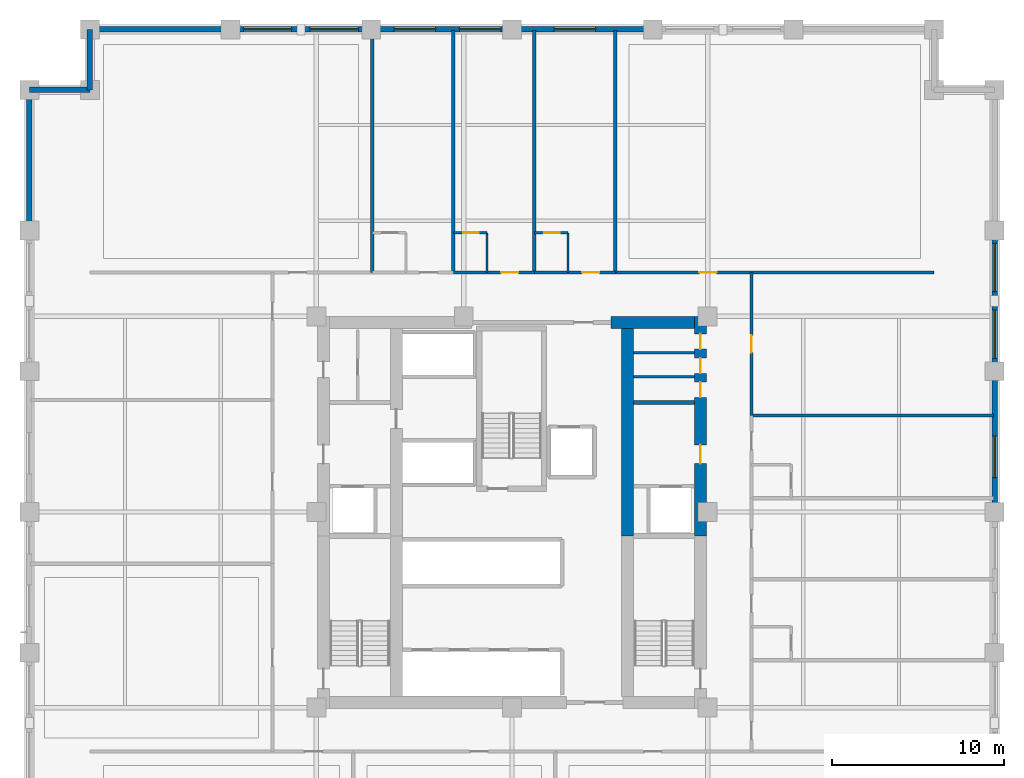
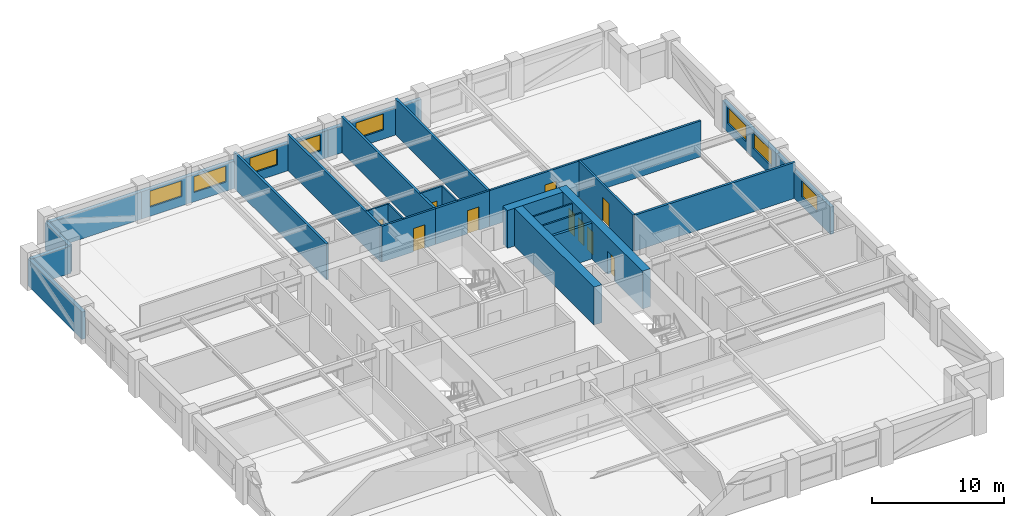
# One storey, part 6 of 12: 28 walls, 10 doors, 8 windows, 18 openings.
"""IFC4 building model written with IfcOpenShell, lengths in metres."""

from ifc_helpers import new_model, si_unit, direction, frame, frame_2d, origin, place, context, subcontext, project, spatial, rectangle, extrude, material, layer, layer_set, type_object, element, fill, save


model = new_model("IFC4")

# Units and contexts
model_context = context("Model", 3, precision=1e-05, world=origin(), true_north=direction((0.0, 1.0)))
body_context = subcontext(model_context, "Body", "Model", "MODEL_VIEW")
ifc_project = project(units=[si_unit("LENGTHUNIT", "METRE"), si_unit("AREAUNIT", "SQUARE_METRE"), si_unit("VOLUMEUNIT", "CUBIC_METRE"), si_unit("PLANEANGLEUNIT", "RADIAN"), si_unit("MASSUNIT", "GRAM", prefix="KILO")], contexts=[model_context])

# Site, building, storey
site_placement = place(None, origin())
site = spatial("IfcSite", under=ifc_project, at=site_placement, CompositionType="ELEMENT")
building_placement = place(site_placement, origin())
building = spatial("IfcBuilding", under=site, at=building_placement, Name="Nhamokura Convention Tower", CompositionType="ELEMENT")
storey_placement = place(building_placement, frame((0.0, 0.0, 49.35009765625)))
storey = spatial("IfcBuildingStorey", under=building, at=storey_placement, Name="L10", CompositionType="ELEMENT", Elevation=49.35009765625)

# Walls
ifc_material_1 = material(Name="Moisture-resistant tile-backer partition", Category="masonry")
ifc_layer_1 = layer(ifc_material_1, 0.139892578125)
ifc_layer_set_1 = layer_set([ifc_layer_1], Name="BathroomWetWall_140")
wall_type_1 = type_object("IfcWallType", Name="BathroomWetWall_140", PredefinedType="STANDARD", material=ifc_layer_set_1)
for number, where, z_axis, x_axis, name in (
    (1, (39.06005859375, 39.85009765625, 0.0), (0.0, 0.0, 1.0), (1.0, 0.0, 0.0), "L10 Wall INT-L10-CWNE1"),
    (2, (39.06005859375, 41.25, 0.0), (0.0, 0.0, 1.0), (1.0, 0.0, 0.0), "L10 Wall INT-L10-CWNE2"),
):
    element("IfcWall", number, at=place(storey_placement, frame(where, z_axis=z_axis, x_axis=x_axis)), inside=storey, type_object=wall_type_1, Name=name, PredefinedType="STANDARD", context=body_context, shape_type="SweptSolid", body=[
        extrude(rectangle(XDim=3.530029296875, YDim=0.139892578125, at=frame_2d((1.76513671875, 0.0))), origin(), (0.0, 0.0, 1.0), 3.31982421875),
    ])
wall_1_placement = place(storey_placement, frame((30.550048828125, 45.89990234375, 0.0), z_axis=(0.0, 0.0, 1.0), x_axis=(0.0, 1.0, 0.0)))
element("IfcWall", 3, at=wall_1_placement, inside=storey, type_object=wall_type_1, Name="L10 Wall INT-L10-BW-N02E", PredefinedType="STANDARD", context=body_context, shape_type="SweptSolid", body=[
    extrude(rectangle(XDim=2.300048828125, YDim=0.139892578125, at=frame_2d((1.14990234375, 0.0))), origin(), (0.0, 0.0, 1.0), 3.31982421875),
])

# Wall, opening, door
wall_2_placement = place(storey_placement, frame((28.60009765625, 48.199951171875, 0.0), z_axis=(0.0, 0.0, 1.0), x_axis=(1.0, 0.0, 0.0)))
wall_2 = element("IfcWall", 4, at=wall_2_placement, inside=storey, type_object=wall_type_1, Name="L10 Wall INT-L10-BW-N02N", PredefinedType="STANDARD", context=body_context, shape_type="SweptSolid", body=[
    extrude(rectangle(XDim=1.949951171875, YDim=0.139892578125, at=frame_2d((0.97509765625, 0.0))), origin(), (0.0, 0.0, 1.0), 3.31982421875),
])
opening_1_placement = place(wall_2_placement, frame((0.580078125, 0.0, 0.0)))
opening_1 = element("IfcOpeningElement", 5, at=opening_1_placement, cuts=wall_2, Name="Opening D-11", PredefinedType="OPENING", context=body_context, shape_type="SweptSolid", body=[
    extrude(rectangle(XDim=0.8798828125, YDim=2.10009765625, at=frame_2d((0.43994140625, 1.050048828125))), frame((0.0, 0.079833984375, 0.0), z_axis=(0.0, -1.0, 0.0), x_axis=(1.0, 0.0, 0.0)), (0.0, 0.0, 1.0), 0.159912109375),
])
ifc_material_2 = material(Name="Solid oak hardwood", Category="wood")
door_type_1 = type_object("IfcDoorType", Name="BathroomDoor_880", OperationType="NOTDEFINED", PredefinedType="DOOR", material=ifc_material_2)
door_1_placement = place(opening_1_placement, origin())
door_1 = element("IfcDoor", 6, at=door_1_placement, inside=storey, type_object=door_type_1, Name="L10 Guest Room En-suite Door", OperationType="SINGLE_SWING_RIGHT", OverallHeight=2.10009765625, OverallWidth=0.8798828125, PredefinedType="DOOR", context=body_context, shape_type="SweptSolid", body=[
    extrude(rectangle(XDim=0.8798828125, YDim=2.10009765625, at=frame_2d((0.43994140625, 1.050048828125))), frame((0.0, 0.02490234375, 0.0), z_axis=(0.0, -1.0, 0.0), x_axis=(1.0, 0.0, 0.0)), (0.0, 0.0, 1.0), 0.050048828125),
])
fill(opening_1, door_1)

# Wall
wall_3_placement = place(storey_placement, frame((35.25, 45.89990234375, 0.0), z_axis=(0.0, 0.0, 1.0), x_axis=(0.0, 1.0, 0.0)))
element("IfcWall", 7, at=wall_3_placement, inside=storey, type_object=wall_type_1, Name="L10 Wall INT-L10-BW-N03E", PredefinedType="STANDARD", context=body_context, shape_type="SweptSolid", body=[
    extrude(rectangle(XDim=2.300048828125, YDim=0.139892578125, at=frame_2d((1.14990234375, 0.0))), origin(), (0.0, 0.0, 1.0), 3.31982421875),
])

# Wall, opening, door
wall_4_placement = place(storey_placement, frame((33.300048828125, 48.199951171875, 0.0), z_axis=(0.0, 0.0, 1.0), x_axis=(1.0, 0.0, 0.0)))
wall_4 = element("IfcWall", 8, at=wall_4_placement, inside=storey, type_object=wall_type_1, Name="L10 Wall INT-L10-BW-N03N", PredefinedType="STANDARD", context=body_context, shape_type="SweptSolid", body=[
    extrude(rectangle(XDim=1.949951171875, YDim=0.139892578125, at=frame_2d((0.97509765625, 0.0))), origin(), (0.0, 0.0, 1.0), 3.31982421875),
])
opening_2_placement = place(wall_4_placement, frame((0.580078125, 0.0, 0.0)))
opening_2 = element("IfcOpeningElement", 9, at=opening_2_placement, cuts=wall_4, Name="Opening D-11", PredefinedType="OPENING", context=body_context, shape_type="SweptSolid", body=[
    extrude(rectangle(XDim=0.8798828125, YDim=2.10009765625, at=frame_2d((0.43994140625, 1.050048828125))), frame((0.0, 0.079833984375, 0.0), z_axis=(0.0, -1.0, 0.0), x_axis=(1.0, 0.0, 0.0)), (0.0, 0.0, 1.0), 0.159912109375),
])
door_2_placement = place(opening_2_placement, origin())
door_2 = element("IfcDoor", 10, at=door_2_placement, inside=storey, type_object=door_type_1, Name="L10 Guest Room En-suite Door", OperationType="SINGLE_SWING_RIGHT", OverallHeight=2.10009765625, OverallWidth=0.8798828125, PredefinedType="DOOR", context=body_context, shape_type="SweptSolid", body=[
    extrude(rectangle(XDim=0.8798828125, YDim=2.10009765625, at=frame_2d((0.43994140625, 1.050048828125))), frame((0.0, 0.02490234375, 0.0), z_axis=(0.0, -1.0, 0.0), x_axis=(1.0, 0.0, 0.0)), (0.0, 0.0, 1.0), 0.050048828125),
])
fill(opening_2, door_2)

# Wall
ifc_material_3 = material(Name="Bronze-pigmented precast concrete C45/55", Category="concrete")
ifc_layer_2 = layer(ifc_material_3, 0.320068359375)
ifc_layer_set_2 = layer_set([ifc_layer_2], Name="BronzePrecastSpandrel_320")
wall_type_2 = type_object("IfcWallType", Name="BronzePrecastSpandrel_320", PredefinedType="USERDEFINED", material=ifc_layer_set_2)
wall_5_placement = place(storey_placement, frame((7.5, 60.0, 0.0), z_axis=(0.0, 0.0, 1.0), x_axis=(1.0, 0.0, 0.0)))
element("IfcWall", 11, at=wall_5_placement, inside=storey, type_object=wall_type_2, Name="L10 Braced-Bay Precast Wall NORTH 0", ObjectType="SPANDREL_WALL", PredefinedType="USERDEFINED", context=body_context, shape_type="SweptSolid", body=[
    extrude(rectangle(XDim=8.166748046875, YDim=0.320068359375, at=frame_2d((4.08349609375, 0.0))), origin(), (0.0, 0.0, 1.0), 2.52001953125),
])

# Wall, openings, windows
wall_6_placement = place(storey_placement, frame((15.666748046875, 60.0, 0.0), z_axis=(0.0, 0.0, 1.0), x_axis=(1.0, 0.0, 0.0)))
wall_6 = element("IfcWall", 12, at=wall_6_placement, inside=storey, type_object=wall_type_2, Name="L10 Masonry-Frame Wall NORTH 1", ObjectType="SPANDREL_WALL", PredefinedType="USERDEFINED", context=body_context, shape_type="SweptSolid", body=[
    extrude(rectangle(XDim=8.16650390625, YDim=0.320068359375, at=frame_2d((4.083251953125, 0.0))), origin(), (0.0, 0.0, 1.0), 2.52001953125),
])
opening_3_placement = place(wall_6_placement, frame((0.74169921875, 0.0, 0.85009765625)))
opening_3 = element("IfcOpeningElement", 13, at=opening_3_placement, cuts=wall_6, Name="Opening W-04", PredefinedType="OPENING", context=body_context, shape_type="SweptSolid", body=[
    extrude(rectangle(XDim=2.800048828125, YDim=1.469970703125, at=frame_2d((1.39990234375, 0.73486328125))), frame((0.0, 0.169921875, 0.0), z_axis=(0.0, -1.0, 0.0), x_axis=(1.0, 0.0, 0.0)), (0.0, 0.0, 1.0), 0.340087890625),
])
opening_4_placement = place(wall_6_placement, frame((4.625, 0.0, 0.85009765625)))
opening_4 = element("IfcOpeningElement", 14, at=opening_4_placement, cuts=wall_6, Name="Opening W-04", PredefinedType="OPENING", context=body_context, shape_type="SweptSolid", body=[
    extrude(rectangle(XDim=2.800048828125, YDim=1.469970703125, at=frame_2d((1.39990234375, 0.73486328125))), frame((0.0, 0.169921875, 0.0), z_axis=(0.0, -1.0, 0.0), x_axis=(1.0, 0.0, 0.0)), (0.0, 0.0, 1.0), 0.340087890625),
])
ifc_material_4 = material(Name="Solar-control bronze low-E double glass", Category="glass")
window_type_1 = type_object("IfcWindowType", Name="HotelSuiteWindow_2800", PartitioningType="DOUBLE_PANEL_VERTICAL", PredefinedType="WINDOW", material=ifc_material_4)
window_1_placement = place(opening_3_placement, origin())
window_1 = element("IfcWindow", 15, at=window_1_placement, inside=storey, type_object=window_type_1, Name="L10 Facade Window NORTH 1-1", OverallHeight=1.469970703125, OverallWidth=2.800048828125, PartitioningType="SINGLE_PANEL", PredefinedType="WINDOW", context=body_context, shape_type="SweptSolid", body=[
    extrude(rectangle(XDim=2.800048828125, YDim=1.469970703125, at=frame_2d((1.39990234375, 0.73486328125))), frame((0.0, 0.030029296875, 0.0), z_axis=(0.0, -1.0, 0.0), x_axis=(1.0, 0.0, 0.0)), (0.0, 0.0, 1.0), 0.06005859375),
])
fill(opening_3, window_1)
window_2_placement = place(opening_4_placement, origin())
window_2 = element("IfcWindow", 16, at=window_2_placement, inside=storey, type_object=window_type_1, Name="L10 Facade Window NORTH 1-2", OverallHeight=1.469970703125, OverallWidth=2.800048828125, PartitioningType="SINGLE_PANEL", PredefinedType="WINDOW", context=body_context, shape_type="SweptSolid", body=[
    extrude(rectangle(XDim=2.800048828125, YDim=1.469970703125, at=frame_2d((1.39990234375, 0.73486328125))), frame((0.0, 0.030029296875, 0.0), z_axis=(0.0, -1.0, 0.0), x_axis=(1.0, 0.0, 0.0)), (0.0, 0.0, 1.0), 0.06005859375),
])
fill(opening_4, window_2)

wall_7_placement = place(storey_placement, frame((23.833251953125, 60.0, 0.0), z_axis=(0.0, 0.0, 1.0), x_axis=(1.0, 0.0, 0.0)))
wall_7 = element("IfcWall", 17, at=wall_7_placement, inside=storey, type_object=wall_type_2, Name="L10 Masonry-Frame Wall NORTH 2", ObjectType="SPANDREL_WALL", PredefinedType="USERDEFINED", context=body_context, shape_type="SweptSolid", body=[
    extrude(rectangle(XDim=8.166748046875, YDim=0.320068359375, at=frame_2d((4.08349609375, 0.0))), origin(), (0.0, 0.0, 1.0), 2.52001953125),
])
opening_5_placement = place(wall_7_placement, frame((1.33349609375, 0.0, 0.85009765625)))
opening_5 = element("IfcOpeningElement", 18, at=opening_5_placement, cuts=wall_7, Name="Opening W-03", PredefinedType="OPENING", context=body_context, shape_type="SweptSolid", body=[
    extrude(rectangle(XDim=2.39990234375, YDim=1.469970703125, at=frame_2d((1.199951171875, 0.73486328125))), frame((0.0, 0.169921875, 0.0), z_axis=(0.0, -1.0, 0.0), x_axis=(1.0, 0.0, 0.0)), (0.0, 0.0, 1.0), 0.340087890625),
])
opening_6_placement = place(wall_7_placement, frame((5.11669921875, 0.0, 0.85009765625)))
opening_6 = element("IfcOpeningElement", 19, at=opening_6_placement, cuts=wall_7, Name="Opening W-03", PredefinedType="OPENING", context=body_context, shape_type="SweptSolid", body=[
    extrude(rectangle(XDim=2.39990234375, YDim=1.469970703125, at=frame_2d((1.199951171875, 0.73486328125))), frame((0.0, 0.169921875, 0.0), z_axis=(0.0, -1.0, 0.0), x_axis=(1.0, 0.0, 0.0)), (0.0, 0.0, 1.0), 0.340087890625),
])
ifc_material_5 = material(Name="Solar-control bronze low-E double glass", Category="glass")
window_type_2 = type_object("IfcWindowType", Name="HotelBayWindow_2400", PartitioningType="DOUBLE_PANEL_VERTICAL", PredefinedType="WINDOW", material=ifc_material_5)
window_3_placement = place(opening_5_placement, origin())
window_3 = element("IfcWindow", 20, at=window_3_placement, inside=storey, type_object=window_type_2, Name="L10 Facade Window NORTH 2-1", OverallHeight=1.469970703125, OverallWidth=2.39990234375, PartitioningType="SINGLE_PANEL", PredefinedType="WINDOW", context=body_context, shape_type="SweptSolid", body=[
    extrude(rectangle(XDim=2.39990234375, YDim=1.469970703125, at=frame_2d((1.199951171875, 0.73486328125))), frame((0.0, 0.030029296875, 0.0), z_axis=(0.0, -1.0, 0.0), x_axis=(1.0, 0.0, 0.0)), (0.0, 0.0, 1.0), 0.06005859375),
])
fill(opening_5, window_3)
window_4_placement = place(opening_6_placement, origin())
window_4 = element("IfcWindow", 21, at=window_4_placement, inside=storey, type_object=window_type_2, Name="L10 Facade Window NORTH 2-2", OverallHeight=1.469970703125, OverallWidth=2.39990234375, PartitioningType="SINGLE_PANEL", PredefinedType="WINDOW", context=body_context, shape_type="SweptSolid", body=[
    extrude(rectangle(XDim=2.39990234375, YDim=1.469970703125, at=frame_2d((1.199951171875, 0.73486328125))), frame((0.0, 0.030029296875, 0.0), z_axis=(0.0, -1.0, 0.0), x_axis=(1.0, 0.0, 0.0)), (0.0, 0.0, 1.0), 0.06005859375),
])
fill(opening_6, window_4)

# Wall, opening, window
wall_8_placement = place(storey_placement, frame((32.0, 60.0, 0.0), z_axis=(0.0, 0.0, 1.0), x_axis=(1.0, 0.0, 0.0)))
wall_8 = element("IfcWall", 22, at=wall_8_placement, inside=storey, type_object=wall_type_2, Name="L10 Masonry-Frame Wall NORTH 3", ObjectType="SPANDREL_WALL", PredefinedType="USERDEFINED", context=body_context, shape_type="SweptSolid", body=[
    extrude(rectangle(XDim=8.166748046875, YDim=0.320068359375, at=frame_2d((4.08349609375, 0.0))), origin(), (0.0, 0.0, 1.0), 2.52001953125),
])
opening_7_placement = place(wall_8_placement, frame((2.449951171875, 0.0, 0.85009765625)))
opening_7 = element("IfcOpeningElement", 23, at=opening_7_placement, cuts=wall_8, Name="Opening W-03", PredefinedType="OPENING", context=body_context, shape_type="SweptSolid", body=[
    extrude(rectangle(XDim=2.39990234375, YDim=1.469970703125, at=frame_2d((1.199951171875, 0.73486328125))), frame((0.0, 0.169921875, 0.0), z_axis=(0.0, -1.0, 0.0), x_axis=(1.0, 0.0, 0.0)), (0.0, 0.0, 1.0), 0.340087890625),
])
window_5_placement = place(opening_7_placement, origin())
window_5 = element("IfcWindow", 24, at=window_5_placement, inside=storey, type_object=window_type_2, Name="L10 Facade Window NORTH 3-2", OverallHeight=1.469970703125, OverallWidth=2.39990234375, PartitioningType="SINGLE_PANEL", PredefinedType="WINDOW", context=body_context, shape_type="SweptSolid", body=[
    extrude(rectangle(XDim=2.39990234375, YDim=1.469970703125, at=frame_2d((1.199951171875, 0.73486328125))), frame((0.0, 0.030029296875, 0.0), z_axis=(0.0, -1.0, 0.0), x_axis=(1.0, 0.0, 0.0)), (0.0, 0.0, 1.0), 0.06005859375),
])
fill(opening_7, window_5)

# Wall
wall_9_placement = place(storey_placement, frame((4.0, 48.333251953125, 0.0), z_axis=(0.0, 0.0, 1.0), x_axis=(0.0, 1.0, 0.0)))
element("IfcWall", 25, at=wall_9_placement, inside=storey, type_object=wall_type_2, Name="L10 Braced-Bay Precast Wall WEST 5", ObjectType="SPANDREL_WALL", PredefinedType="USERDEFINED", context=body_context, shape_type="SweptSolid", body=[
    extrude(rectangle(XDim=8.166748046875, YDim=0.320068359375, at=frame_2d((4.08349609375, 0.0))), origin(), (0.0, 0.0, 1.0), 2.52001953125),
])

# Wall, opening, window
wall_10_placement = place(storey_placement, frame((60.0, 40.166748046875, 0.0), z_axis=(0.0, 0.0, 1.0), x_axis=(0.0, -1.0, 0.0)))
wall_10 = element("IfcWall", 26, at=wall_10_placement, inside=storey, type_object=wall_type_2, Name="L10 Masonry-Frame Wall EAST 3", ObjectType="SPANDREL_WALL", PredefinedType="USERDEFINED", context=body_context, shape_type="SweptSolid", body=[
    extrude(rectangle(XDim=8.166748046875, YDim=0.320068359375, at=frame_2d((4.08349609375, 0.0))), origin(), (0.0, 0.0, 1.0), 2.52001953125),
])
opening_8_placement = place(wall_10_placement, frame((3.7666015625, 0.0, 0.85009765625)))
opening_8 = element("IfcOpeningElement", 27, at=opening_8_placement, cuts=wall_10, Name="Opening W-03", PredefinedType="OPENING", context=body_context, shape_type="SweptSolid", body=[
    extrude(rectangle(XDim=2.39990234375, YDim=1.469970703125, at=frame_2d((1.199951171875, 0.73486328125))), frame((0.0, 0.169921875, 0.0), z_axis=(0.0, -1.0, 0.0), x_axis=(1.0, 0.0, 0.0)), (0.0, 0.0, 1.0), 0.340087890625),
])
window_6_placement = place(opening_8_placement, origin())
window_6 = element("IfcWindow", 28, at=window_6_placement, inside=storey, type_object=window_type_2, Name="L10 Facade Window EAST 3-2", OverallHeight=1.469970703125, OverallWidth=2.39990234375, PartitioningType="SINGLE_PANEL", PredefinedType="WINDOW", context=body_context, shape_type="SweptSolid", body=[
    extrude(rectangle(XDim=2.39990234375, YDim=1.469970703125, at=frame_2d((1.199951171875, 0.73486328125))), frame((0.0, 0.030029296875, 0.0), z_axis=(0.0, -1.0, 0.0), x_axis=(1.0, 0.0, 0.0)), (0.0, 0.0, 1.0), 0.06005859375),
])
fill(opening_8, window_6)

# Wall, openings, windows
wall_11_placement = place(storey_placement, frame((60.0, 48.333251953125, 0.0), z_axis=(0.0, 0.0, 1.0), x_axis=(0.0, -1.0, 0.0)))
wall_11 = element("IfcWall", 29, at=wall_11_placement, inside=storey, type_object=wall_type_2, Name="L10 Masonry-Frame Wall EAST 4", ObjectType="SPANDREL_WALL", PredefinedType="USERDEFINED", context=body_context, shape_type="SweptSolid", body=[
    extrude(rectangle(XDim=8.16650390625, YDim=0.320068359375, at=frame_2d((4.083251953125, 0.0))), origin(), (0.0, 0.0, 1.0), 2.52001953125),
])
opening_9_placement = place(wall_11_placement, frame((0.74169921875, 0.0, 0.85009765625)))
opening_9 = element("IfcOpeningElement", 30, at=opening_9_placement, cuts=wall_11, Name="Opening W-04", PredefinedType="OPENING", context=body_context, shape_type="SweptSolid", body=[
    extrude(rectangle(XDim=2.800048828125, YDim=1.469970703125, at=frame_2d((1.39990234375, 0.73486328125))), frame((0.0, 0.169921875, 0.0), z_axis=(0.0, -1.0, 0.0), x_axis=(1.0, 0.0, 0.0)), (0.0, 0.0, 1.0), 0.340087890625),
])
opening_10_placement = place(wall_11_placement, frame((4.625, 0.0, 0.85009765625)))
opening_10 = element("IfcOpeningElement", 31, at=opening_10_placement, cuts=wall_11, Name="Opening W-04", PredefinedType="OPENING", context=body_context, shape_type="SweptSolid", body=[
    extrude(rectangle(XDim=2.800048828125, YDim=1.469970703125, at=frame_2d((1.39990234375, 0.73486328125))), frame((0.0, 0.169921875, 0.0), z_axis=(0.0, -1.0, 0.0), x_axis=(1.0, 0.0, 0.0)), (0.0, 0.0, 1.0), 0.340087890625),
])
window_7_placement = place(opening_9_placement, origin())
window_7 = element("IfcWindow", 32, at=window_7_placement, inside=storey, type_object=window_type_1, Name="L10 Facade Window EAST 4-1", OverallHeight=1.469970703125, OverallWidth=2.800048828125, PartitioningType="SINGLE_PANEL", PredefinedType="WINDOW", context=body_context, shape_type="SweptSolid", body=[
    extrude(rectangle(XDim=2.800048828125, YDim=1.469970703125, at=frame_2d((1.39990234375, 0.73486328125))), frame((0.0, 0.030029296875, 0.0), z_axis=(0.0, -1.0, 0.0), x_axis=(1.0, 0.0, 0.0)), (0.0, 0.0, 1.0), 0.06005859375),
])
fill(opening_9, window_7)
window_8_placement = place(opening_10_placement, origin())
window_8 = element("IfcWindow", 33, at=window_8_placement, inside=storey, type_object=window_type_1, Name="L10 Facade Window EAST 4-2", OverallHeight=1.469970703125, OverallWidth=2.800048828125, PartitioningType="SINGLE_PANEL", PredefinedType="WINDOW", context=body_context, shape_type="SweptSolid", body=[
    extrude(rectangle(XDim=2.800048828125, YDim=1.469970703125, at=frame_2d((1.39990234375, 0.73486328125))), frame((0.0, 0.030029296875, 0.0), z_axis=(0.0, -1.0, 0.0), x_axis=(1.0, 0.0, 0.0)), (0.0, 0.0, 1.0), 0.06005859375),
])
fill(opening_10, window_8)

# Walls
for number, where, z_axis, x_axis, name in (
    (34, (7.5, 56.5, 0.0), (0.0, 0.0, 1.0), (0.0, 1.0, 0.0), "L10 Notched Corner Wall NW1"),
    (35, (4.0, 56.5, 0.0), (0.0, 0.0, 1.0), (1.0, 0.0, 0.0), "L10 Notched Corner Wall NW2"),
):
    element("IfcWall", number, at=place(storey_placement, frame(where, z_axis=z_axis, x_axis=x_axis)), inside=storey, type_object=wall_type_2, Name=name, ObjectType="SPANDREL_WALL", PredefinedType="USERDEFINED", context=body_context, shape_type="SweptSolid", body=[
        extrude(rectangle(XDim=3.5, YDim=0.320068359375, at=frame_2d((1.75, 0.0))), origin(), (0.0, 0.0, 1.0), 2.52001953125),
    ])

# Wall, openings, doors
ifc_material_6 = material(Name="Concrete C70/85", Category="concrete")
ifc_layer_3 = layer(ifc_material_6, 0.699951171875)
ifc_layer_set_3 = layer_set([ifc_layer_3], Name="CoreShearWall_700")
wall_type_3 = type_object("IfcWallType", Name="CoreShearWall_700", PredefinedType="SHEAR", material=ifc_layer_set_3)
wall_12_placement = place(storey_placement, frame((42.93994140625, 30.60009765625, 0.0), z_axis=(0.0, 0.0, 1.0), x_axis=(0.0, 1.0, 0.0)))
wall_12 = element("IfcWall", 36, at=wall_12_placement, inside=storey, type_object=wall_type_3, Name="L10 Core Shear Wall CW-EN", PredefinedType="SHEAR", context=body_context, shape_type="SweptSolid", body=[
    extrude(rectangle(XDim=12.75, YDim=0.699951171875, at=frame_2d((6.375, 0.0))), origin(), (0.0, 0.0, 1.0), 3.5),
])
opening_11_placement = place(wall_12_placement, frame((4.199951171875, 0.0, 0.0)))
opening_11 = element("IfcOpeningElement", 37, at=opening_11_placement, cuts=wall_12, Name="Opening D-05", PredefinedType="OPENING", context=body_context, shape_type="SweptSolid", body=[
    extrude(rectangle(XDim=1.10009765625, YDim=2.14990234375, at=frame_2d((0.550048828125, 1.074951171875))), frame((0.0, 0.35986328125, 0.0), z_axis=(0.0, -1.0, 0.0), x_axis=(1.0, 0.0, 0.0)), (0.0, 0.0, 1.0), 0.719970703125),
])
opening_12_placement = place(wall_12_placement, frame((8.050048828125, 0.0, 0.0)))
opening_12 = element("IfcOpeningElement", 38, at=opening_12_placement, cuts=wall_12, Name="Opening D-11", PredefinedType="OPENING", context=body_context, shape_type="SweptSolid", body=[
    extrude(rectangle(XDim=0.8798828125, YDim=2.10009765625, at=frame_2d((0.43994140625, 1.050048828125))), frame((0.0, 0.35986328125, 0.0), z_axis=(0.0, -1.0, 0.0), x_axis=(1.0, 0.0, 0.0)), (0.0, 0.0, 1.0), 0.719970703125),
])
opening_13_placement = place(wall_12_placement, frame((9.449951171875, 0.0, 0.0)))
opening_13 = element("IfcOpeningElement", 39, at=opening_13_placement, cuts=wall_12, Name="Opening D-11", PredefinedType="OPENING", context=body_context, shape_type="SweptSolid", body=[
    extrude(rectangle(XDim=0.8798828125, YDim=2.10009765625, at=frame_2d((0.43994140625, 1.050048828125))), frame((0.0, 0.35986328125, 0.0), z_axis=(0.0, -1.0, 0.0), x_axis=(1.0, 0.0, 0.0)), (0.0, 0.0, 1.0), 0.719970703125),
])
opening_14_placement = place(wall_12_placement, frame((10.85009765625, 0.0, 0.0)))
opening_14 = element("IfcOpeningElement", 40, at=opening_14_placement, cuts=wall_12, Name="Opening D-11", PredefinedType="OPENING", context=body_context, shape_type="SweptSolid", body=[
    extrude(rectangle(XDim=0.8798828125, YDim=2.10009765625, at=frame_2d((0.43994140625, 1.050048828125))), frame((0.0, 0.35986328125, 0.0), z_axis=(0.0, -1.0, 0.0), x_axis=(1.0, 0.0, 0.0)), (0.0, 0.0, 1.0), 0.719970703125),
])
door_3_placement = place(opening_12_placement, origin())
door_3 = element("IfcDoor", 41, at=door_3_placement, inside=storey, type_object=door_type_1, Name="L10 Core Door INT-L10-D-MWC", OperationType="SINGLE_SWING_LEFT", OverallHeight=2.10009765625, OverallWidth=0.8798828125, PredefinedType="DOOR", context=body_context, shape_type="SweptSolid", body=[
    extrude(rectangle(XDim=0.8798828125, YDim=2.10009765625, at=frame_2d((0.43994140625, 1.050048828125))), frame((0.0, 0.02490234375, 0.0), z_axis=(0.0, -1.0, 0.0), x_axis=(1.0, 0.0, 0.0)), (0.0, 0.0, 1.0), 0.050048828125),
])
fill(opening_12, door_3)
door_4_placement = place(opening_13_placement, origin())
door_4 = element("IfcDoor", 42, at=door_4_placement, inside=storey, type_object=door_type_1, Name="L10 Core Door INT-L10-D-FWC", OperationType="SINGLE_SWING_RIGHT", OverallHeight=2.10009765625, OverallWidth=0.8798828125, PredefinedType="DOOR", context=body_context, shape_type="SweptSolid", body=[
    extrude(rectangle(XDim=0.8798828125, YDim=2.10009765625, at=frame_2d((0.43994140625, 1.050048828125))), frame((0.0, 0.02490234375, 0.0), z_axis=(0.0, -1.0, 0.0), x_axis=(1.0, 0.0, 0.0)), (0.0, 0.0, 1.0), 0.050048828125),
])
fill(opening_13, door_4)
door_5_placement = place(opening_14_placement, origin())
door_5 = element("IfcDoor", 43, at=door_5_placement, inside=storey, type_object=door_type_1, Name="L10 Core Door INT-L10-D-ARC", OperationType="SINGLE_SWING_LEFT", OverallHeight=2.10009765625, OverallWidth=0.8798828125, PredefinedType="DOOR", context=body_context, shape_type="SweptSolid", body=[
    extrude(rectangle(XDim=0.8798828125, YDim=2.10009765625, at=frame_2d((0.43994140625, 1.050048828125))), frame((0.0, 0.02490234375, 0.0), z_axis=(0.0, -1.0, 0.0), x_axis=(1.0, 0.0, 0.0)), (0.0, 0.0, 1.0), 0.050048828125),
])
fill(opening_14, door_5)
ifc_material_7 = material(Name="Fire-rated steel door", Category="steel")
door_type_2 = type_object("IfcDoorType", Name="FireLobbyDoor_1100", OperationType="NOTDEFINED", PredefinedType="DOOR", material=ifc_material_7)
door_6_placement = place(opening_11_placement, origin())
door_6 = element("IfcDoor", 44, at=door_6_placement, inside=storey, type_object=door_type_2, Name="L10 Core Door INT-L10-D-FFLE", OperationType="SINGLE_SWING_LEFT", OverallHeight=2.14990234375, OverallWidth=1.10009765625, PredefinedType="DOOR", context=body_context, shape_type="SweptSolid", body=[
    extrude(rectangle(XDim=1.10009765625, YDim=2.14990234375, at=frame_2d((0.550048828125, 1.074951171875))), frame((0.0, 0.02490234375, 0.0), z_axis=(0.0, -1.0, 0.0), x_axis=(1.0, 0.0, 0.0)), (0.0, 0.0, 1.0), 0.050048828125),
])
fill(opening_11, door_6)

# Walls
wall_13_placement = place(storey_placement, frame((37.75, 43.0, 0.0), z_axis=(0.0, 0.0, 1.0), x_axis=(1.0, 0.0, 0.0)))
element("IfcWall", 45, at=wall_13_placement, inside=storey, type_object=wall_type_3, Name="L10 Core Shear Wall CW-N2", PredefinedType="SHEAR", context=body_context, shape_type="SweptSolid", body=[
    extrude(rectangle(XDim=4.840087890625, YDim=0.699951171875, at=frame_2d((2.419921875, 0.0))), origin(), (0.0, 0.0, 1.0), 3.5),
])
wall_14_placement = place(storey_placement, frame((38.7099609375, 30.60009765625, 0.0), z_axis=(0.0, 0.0, 1.0), x_axis=(0.0, 1.0, 0.0)))
element("IfcWall", 46, at=wall_14_placement, inside=storey, type_object=wall_type_3, Name="L10 Core Shear Wall CW-IEN", PredefinedType="SHEAR", context=body_context, shape_type="SweptSolid", body=[
    extrude(rectangle(XDim=12.0498046875, YDim=0.699951171875, at=frame_2d((6.02490234375, 0.0))), origin(), (0.0, 0.0, 1.0), 3.5),
])

# Wall, opening, door
ifc_material_8 = material(Name="Fire-rated gypsum and masonry partition", Category="masonry")
ifc_layer_4 = layer(ifc_material_8, 0.179931640625)
ifc_layer_set_4 = layer_set([ifc_layer_4], Name="CorridorRatedWall_180")
wall_type_4 = type_object("IfcWallType", Name="CorridorRatedWall_180", PredefinedType="STANDARD", material=ifc_layer_set_4)
wall_15_placement = place(storey_placement, frame((28.60009765625, 45.89990234375, 0.0), z_axis=(0.0, 0.0, 1.0), x_axis=(1.0, 0.0, 0.0)))
wall_15 = element("IfcWall", 47, at=wall_15_placement, inside=storey, type_object=wall_type_4, Name="L10 Wall INT-L10-CW-N02", PredefinedType="STANDARD", context=body_context, shape_type="SweptSolid", body=[
    extrude(rectangle(XDim=4.699951171875, YDim=0.179931640625, at=frame_2d((2.35009765625, 0.0))), origin(), (0.0, 0.0, 1.0), 3.31982421875),
])
opening_15_placement = place(wall_15_placement, frame((2.77490234375, 0.0, 0.0)))
opening_15 = element("IfcOpeningElement", 48, at=opening_15_placement, cuts=wall_15, Name="Opening D-07", PredefinedType="OPENING", context=body_context, shape_type="SweptSolid", body=[
    extrude(rectangle(XDim=1.0, YDim=2.14990234375, at=frame_2d((0.5, 1.074951171875))), frame((0.0, 0.099853515625, 0.0), z_axis=(0.0, -1.0, 0.0), x_axis=(1.0, 0.0, 0.0)), (0.0, 0.0, 1.0), 0.199951171875),
])
ifc_material_9 = material(Name="Solid oak hardwood", Category="wood")
door_type_3 = type_object("IfcDoorType", Name="HotelSuiteEntryDoor_1000", OperationType="NOTDEFINED", PredefinedType="DOOR", material=ifc_material_9)
door_7_placement = place(opening_15_placement, origin())
door_7 = element("IfcDoor", 49, at=door_7_placement, inside=storey, type_object=door_type_3, Name="L10 Guest Room N03 Door", OperationType="SINGLE_SWING_LEFT", OverallHeight=2.14990234375, OverallWidth=1.0, PredefinedType="DOOR", context=body_context, shape_type="SweptSolid", body=[
    extrude(rectangle(XDim=1.0, YDim=2.14990234375, at=frame_2d((0.5, 1.074951171875))), frame((0.0, 0.02490234375, 0.0), z_axis=(0.0, -1.0, 0.0), x_axis=(1.0, 0.0, 0.0)), (0.0, 0.0, 1.0), 0.050048828125),
])
fill(opening_15, door_7)

wall_16_placement = place(storey_placement, frame((33.300048828125, 45.89990234375, 0.0), z_axis=(0.0, 0.0, 1.0), x_axis=(1.0, 0.0, 0.0)))
wall_16 = element("IfcWall", 50, at=wall_16_placement, inside=storey, type_object=wall_type_4, Name="L10 Wall INT-L10-CW-N03", PredefinedType="STANDARD", context=body_context, shape_type="SweptSolid", body=[
    extrude(rectangle(XDim=4.699951171875, YDim=0.179931640625, at=frame_2d((2.35009765625, 0.0))), origin(), (0.0, 0.0, 1.0), 3.31982421875),
])
opening_16_placement = place(wall_16_placement, frame((2.77490234375, 0.0, 0.0)))
opening_16 = element("IfcOpeningElement", 51, at=opening_16_placement, cuts=wall_16, Name="Opening D-07", PredefinedType="OPENING", context=body_context, shape_type="SweptSolid", body=[
    extrude(rectangle(XDim=1.0, YDim=2.14990234375, at=frame_2d((0.5, 1.074951171875))), frame((0.0, 0.099853515625, 0.0), z_axis=(0.0, -1.0, 0.0), x_axis=(1.0, 0.0, 0.0)), (0.0, 0.0, 1.0), 0.199951171875),
])
door_8_placement = place(opening_16_placement, origin())
door_8 = element("IfcDoor", 52, at=door_8_placement, inside=storey, type_object=door_type_3, Name="L10 Guest Room N04 Door", OperationType="SINGLE_SWING_RIGHT", OverallHeight=2.14990234375, OverallWidth=1.0, PredefinedType="DOOR", context=body_context, shape_type="SweptSolid", body=[
    extrude(rectangle(XDim=1.0, YDim=2.14990234375, at=frame_2d((0.5, 1.074951171875))), frame((0.0, 0.02490234375, 0.0), z_axis=(0.0, -1.0, 0.0), x_axis=(1.0, 0.0, 0.0)), (0.0, 0.0, 1.0), 0.050048828125),
])
fill(opening_16, door_8)

wall_17_placement = place(storey_placement, frame((38.0, 45.89990234375, 0.0), z_axis=(0.0, 0.0, 1.0), x_axis=(1.0, 0.0, 0.0)))
wall_17 = element("IfcWall", 53, at=wall_17_placement, inside=storey, type_object=wall_type_4, Name="L10 Wall INT-L10-CW-N04", PredefinedType="STANDARD", context=body_context, shape_type="SweptSolid", body=[
    extrude(rectangle(XDim=18.5, YDim=0.179931640625, at=frame_2d((9.25, 0.0))), origin(), (0.0, 0.0, 1.0), 3.31982421875),
])
opening_17_placement = place(wall_17_placement, frame((4.875, 0.0, 0.0)))
opening_17 = element("IfcOpeningElement", 54, at=opening_17_placement, cuts=wall_17, Name="Opening D-07", PredefinedType="OPENING", context=body_context, shape_type="SweptSolid", body=[
    extrude(rectangle(XDim=1.0, YDim=2.14990234375, at=frame_2d((0.5, 1.074951171875))), frame((0.0, 0.099853515625, 0.0), z_axis=(0.0, -1.0, 0.0), x_axis=(1.0, 0.0, 0.0)), (0.0, 0.0, 1.0), 0.199951171875),
])
door_9_placement = place(opening_17_placement, origin())
door_9 = element("IfcDoor", 55, at=door_9_placement, inside=storey, type_object=door_type_3, Name="L10 Conference Salon N05 Door", OperationType="SINGLE_SWING_LEFT", OverallHeight=2.14990234375, OverallWidth=1.0, PredefinedType="DOOR", context=body_context, shape_type="SweptSolid", body=[
    extrude(rectangle(XDim=1.0, YDim=2.14990234375, at=frame_2d((0.5, 1.074951171875))), frame((0.0, 0.02490234375, 0.0), z_axis=(0.0, -1.0, 0.0), x_axis=(1.0, 0.0, 0.0)), (0.0, 0.0, 1.0), 0.050048828125),
])
fill(opening_17, door_9)

wall_18_placement = place(storey_placement, frame((45.89990234375, 37.60009765625, 0.0), z_axis=(0.0, 0.0, 1.0), x_axis=(0.0, 1.0, 0.0)))
wall_18 = element("IfcWall", 56, at=wall_18_placement, inside=storey, type_object=wall_type_4, Name="L10 Wall INT-L10-CW-E04", PredefinedType="STANDARD", context=body_context, shape_type="SweptSolid", body=[
    extrude(rectangle(XDim=8.2998046875, YDim=0.179931640625, at=frame_2d((4.14990234375, 0.0))), origin(), (0.0, 0.0, 1.0), 3.31982421875),
])
opening_18_placement = place(wall_18_placement, frame((3.64990234375, 0.0, 0.0)))
opening_18 = element("IfcOpeningElement", 57, at=opening_18_placement, cuts=wall_18, Name="Opening D-07", PredefinedType="OPENING", context=body_context, shape_type="SweptSolid", body=[
    extrude(rectangle(XDim=1.0, YDim=2.14990234375, at=frame_2d((0.5, 1.074951171875))), frame((0.0, 0.099853515625, 0.0), z_axis=(0.0, -1.0, 0.0), x_axis=(1.0, 0.0, 0.0)), (0.0, 0.0, 1.0), 0.199951171875),
])
door_10_placement = place(opening_18_placement, origin())
door_10 = element("IfcDoor", 58, at=door_10_placement, inside=storey, type_object=door_type_3, Name="L10 Conference Salon E05 Door", OperationType="SINGLE_SWING_LEFT", OverallHeight=2.14990234375, OverallWidth=1.0, PredefinedType="DOOR", context=body_context, shape_type="SweptSolid", body=[
    extrude(rectangle(XDim=1.0, YDim=2.14990234375, at=frame_2d((0.5, 1.074951171875))), frame((0.0, 0.02490234375, 0.0), z_axis=(0.0, -1.0, 0.0), x_axis=(1.0, 0.0, 0.0)), (0.0, 0.0, 1.0), 0.050048828125),
])
fill(opening_18, door_10)

# Walls
ifc_material_10 = material(Name="Autoclaved concrete blockwork", Category="masonry")
ifc_layer_5 = layer(ifc_material_10, 0.219970703125)
ifc_layer_set_5 = layer_set([ifc_layer_5], Name="FireLobbyWall_220")
wall_type_5 = type_object("IfcWallType", Name="FireLobbyWall_220", PredefinedType="STANDARD", material=ifc_layer_set_5)
wall_19_placement = place(storey_placement, frame((39.06005859375, 38.35009765625, 0.0), z_axis=(0.0, 0.0, 1.0), x_axis=(1.0, 0.0, 0.0)))
element("IfcWall", 59, at=wall_19_placement, inside=storey, type_object=wall_type_5, Name="L10 Wall INT-L10-FFE-N", PredefinedType="STANDARD", context=body_context, shape_type="SweptSolid", body=[
    extrude(rectangle(XDim=3.530029296875, YDim=0.219970703125, at=frame_2d((1.76513671875, 0.0))), origin(), (0.0, 0.0, 1.0), 3.31982421875),
])
ifc_material_11 = material(Name="Acoustic twin-stud gypsum partition", Category="masonry")
ifc_layer_6 = layer(ifc_material_11, 0.199951171875)
ifc_layer_set_6 = layer_set([ifc_layer_6], Name="HotelDemisingWall_200")
wall_type_6 = type_object("IfcWallType", Name="HotelDemisingWall_200", PredefinedType="STANDARD", material=ifc_layer_set_6)
for number, where, z_axis, x_axis, name in (
    (60, (23.89990234375, 45.89990234375, 0.0), (0.0, 0.0, 1.0), (0.0, 1.0, 0.0), "L10 Wall INT-L10-RW-N01"),
    (61, (28.60009765625, 45.89990234375, 0.0), (0.0, 0.0, 1.0), (0.0, 1.0, 0.0), "L10 Wall INT-L10-RW-N02"),
    (62, (33.300048828125, 45.89990234375, 0.0), (0.0, 0.0, 1.0), (0.0, 1.0, 0.0), "L10 Wall INT-L10-RW-N03"),
    (63, (38.0, 45.89990234375, 0.0), (0.0, 0.0, 1.0), (0.0, 1.0, 0.0), "L10 Wall INT-L10-RW-N04"),
    (64, (45.89990234375, 37.60009765625, 0.0), (0.0, 0.0, 1.0), (1.0, 0.0, 0.0), "L10 Wall INT-L10-RW-E04"),
):
    element("IfcWall", number, at=place(storey_placement, frame(where, z_axis=z_axis, x_axis=x_axis)), inside=storey, type_object=wall_type_6, Name=name, PredefinedType="STANDARD", context=body_context, shape_type="SweptSolid", body=[
        extrude(rectangle(XDim=14.0400390625, YDim=0.199951171875, at=frame_2d((7.02001953125, 0.0))), origin(), (0.0, 0.0, 1.0), 3.31982421875),
    ])

save(model, "model.ifc")
